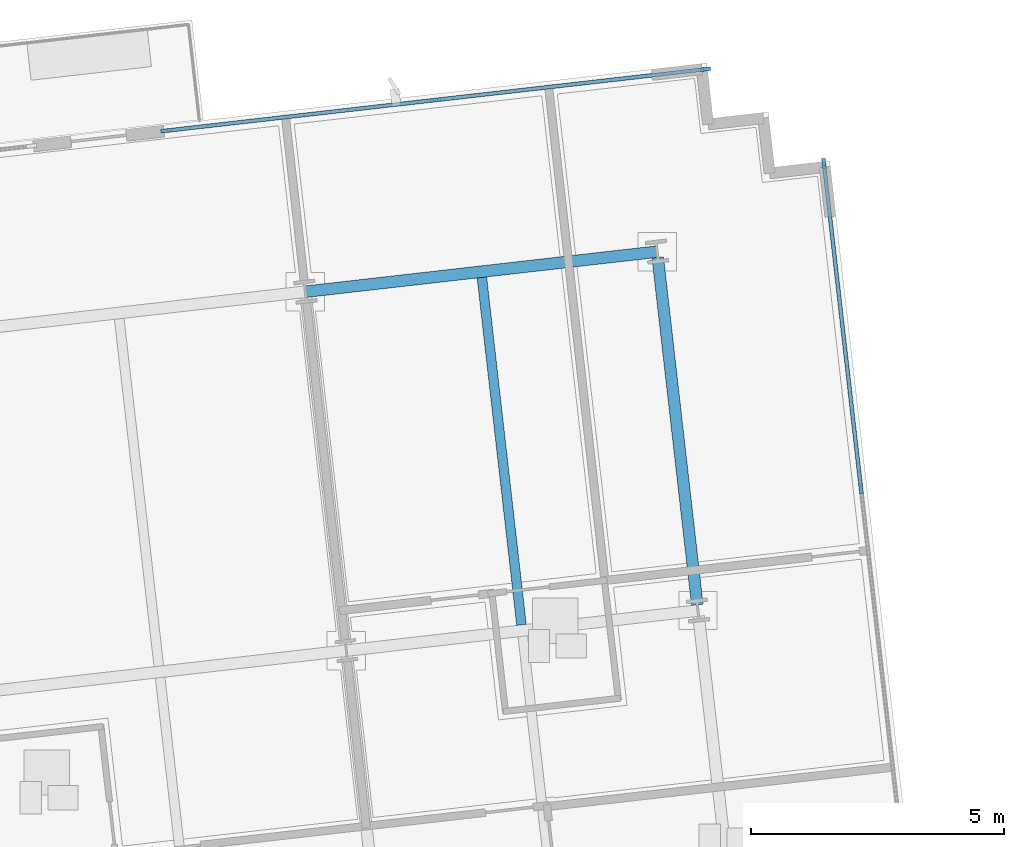
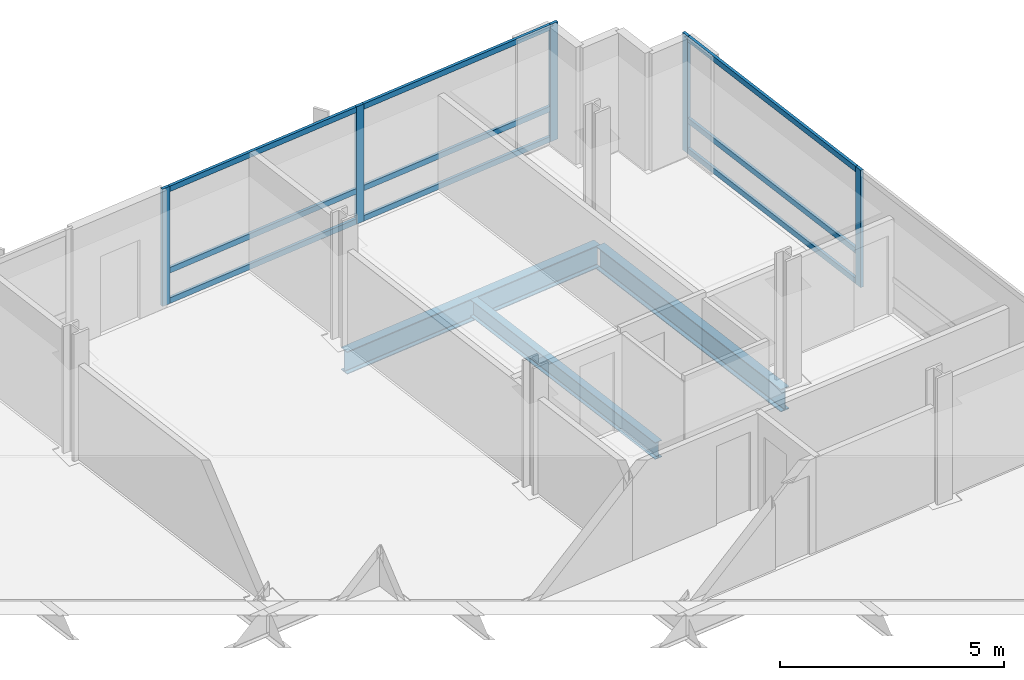
# One storey, part 6 of 16: 14 members, 3 beams, 2 elements without a shape of their own.
"""IFC4 building model written with IfcOpenShell, lengths in metres."""

from ifc_helpers import new_model, si_unit, direction, frame, origin, origin_2d, place, context, subcontext, project, spatial, rectangle, i_section, extrude, material, material_profile, profile_set, type_object, element, aggregate, save


model = new_model("IFC4")

# Units and contexts
model_context = context("Model", 3, precision=1e-05, world=origin(), true_north=direction((0.0, 1.0)))
body_context = subcontext(model_context, "Body", "Model", "MODEL_VIEW")
ifc_project = project(units=[si_unit("LENGTHUNIT", "METRE"), si_unit("AREAUNIT", "SQUARE_METRE"), si_unit("VOLUMEUNIT", "CUBIC_METRE"), si_unit("PLANEANGLEUNIT", "RADIAN"), si_unit("MASSUNIT", "GRAM", prefix="KILO")], contexts=[model_context])

# Site, building, storey
site_placement = place(None, origin())
site = spatial("IfcSite", under=ifc_project, at=site_placement, CompositionType="ELEMENT")
building_placement = place(site_placement, origin())
building = spatial("IfcBuilding", under=site, at=building_placement, Name="Solmavex Isthmus Hotel", CompositionType="ELEMENT")
storey_placement = place(building_placement, frame((0.0, 0.0, 233.10009765625)))
storey = spatial("IfcBuildingStorey", under=building, at=storey_placement, Name="L63", CompositionType="ELEMENT", Elevation=233.10009765625)

# Beams
ifc_material_1 = material(Name="Steel ASTM A992 Grade 50", Category="steel")
ifc_material_profile_1 = material_profile(ifc_material_1, i_section(OverallWidth=0.1904296875, OverallDepth=0.456787109375, WebThickness=0.009033203125, FlangeThickness=0.014404296875, FilletRadius=0.0126953125, at=origin_2d()), Name="W18X50")
ifc_profile_set_1 = profile_set([ifc_material_profile_1], Name="Steel ASTM A992 Grade 50")
beam_type_1 = type_object("IfcBeamType", Name="BM-BJ-W18X50", PredefinedType="JOIST", material=ifc_profile_set_1)
beam_1_placement = place(storey_placement, frame((21.587646484375, 11.7939453125, -0.488525390625), z_axis=(-0.113202453846, 0.993571942258, 0.0), x_axis=(-0.993571942258, -0.113202453846, 0.0)))
element("IfcBeam", 1, at=beam_1_placement, inside=storey, type_object=beam_type_1, Name="Secondary Floor Joist L63-J21", PredefinedType="JOIST", context=body_context, shape_type="SweptSolid", body=[
    extrude(i_section(OverallWidth=0.1904296875, OverallDepth=0.456787109375, WebThickness=0.009033203125, FlangeThickness=0.014404296875, FilletRadius=0.0126953125, at=origin_2d()), origin(), (0.0, 0.0, 1.0), 6.9228515625),
])
ifc_material_profile_2 = material_profile(ifc_material_1, i_section(OverallWidth=0.230224609375, OverallDepth=0.617431640625, WebThickness=0.01318359375, FlangeThickness=0.022216796875, FilletRadius=0.01513671875, at=origin_2d()), Name="W24X94")
ifc_profile_set_2 = profile_set([ifc_material_profile_2], Name="Steel ASTM A992 Grade 50")
beam_type_2 = type_object("IfcBeamType", Name="BM-SP-W24X94", PredefinedType="SPANDREL", material=ifc_profile_set_2)
beam_2_placement = place(storey_placement, frame((17.3095703125, 18.39013671875, -0.56884765625), z_axis=(0.99357359356, 0.113187959519, 0.0), x_axis=(-0.113187959519, 0.99357359356, 0.0)))
element("IfcBeam", 2, at=beam_2_placement, inside=storey, type_object=beam_type_2, Name="Floor Girder L63-UG23", PredefinedType="SPANDREL", context=body_context, shape_type="SweptSolid", body=[
    extrude(i_section(OverallWidth=0.230224609375, OverallDepth=0.617431640625, WebThickness=0.01318359375, FlangeThickness=0.022216796875, FilletRadius=0.01513671875, at=origin_2d()), origin(), (0.0, 0.0, 1.0), 7.0078125),
])
beam_3_placement = place(storey_placement, frame((25.0693359375, 12.1904296875, -0.56884765625), z_axis=(-0.113202453846, 0.993571942258, 0.0), x_axis=(-0.993571942258, -0.113202453846, 0.0)))
element("IfcBeam", 3, at=beam_3_placement, inside=storey, type_object=beam_type_2, Name="Floor Beam L63-VG45", PredefinedType="SPANDREL", context=body_context, shape_type="SweptSolid", body=[
    extrude(i_section(OverallWidth=0.230224609375, OverallDepth=0.617431640625, WebThickness=0.01318359375, FlangeThickness=0.022216796875, FilletRadius=0.01513671875, at=origin_2d()), origin(), (0.0, 0.0, 1.0), 6.9228515625),
])

# Curtain wall, members
ifc_material_2 = material(Name="Aluminium alloy 6063-T6", Category="aluminium")
curtain_wall_type = type_object("IfcCurtainWallType", Name="CW-SYS-04", PredefinedType="NOTDEFINED", material=ifc_material_2)
curtain_wall_1_placement = place(storey_placement, origin())
curtain_wall_1 = element("IfcCurtainWall", 4, at=curtain_wall_1_placement, inside=storey, type_object=curtain_wall_type, Name="Stick Curtain Wall CWL-L63-N3", PredefinedType="NOTDEFINED")
ifc_material_profile_3 = material_profile(ifc_material_2, rectangle(XDim=0.074951171875, YDim=0.199951171875, at=origin_2d()), Name="CWM-75X200")
ifc_profile_set_3 = profile_set([ifc_material_profile_3], Name="Aluminium alloy 6063-T6")
member_type_1 = type_object("IfcMemberType", Name="CW-SYS-04-MUL", PredefinedType="MULLION", material=ifc_profile_set_3)
member_1_placement = place(storey_placement, frame((14.54541015625, 21.57763671875, 0.0), z_axis=(0.0, 0.0, 1.0), x_axis=(-0.113203726319, 0.993571797279, 0.0)))
member_1 = element("IfcMember", 5, at=member_1_placement, type_object=member_type_1, Name="CW-04 mullion 1", PredefinedType="MULLION", context=body_context, shape_type="SweptSolid", body=[
    extrude(rectangle(XDim=0.074951171875, YDim=0.199951171875, at=origin_2d()), origin(), (0.0, 0.0, 1.0), 3.18994140625),
])
member_2_placement = place(storey_placement, frame((19.888916015625, 22.1865234375, 0.0), z_axis=(0.0, 0.0, 1.0), x_axis=(-0.113203726319, 0.993571797279, 0.0)))
member_2 = element("IfcMember", 6, at=member_2_placement, type_object=member_type_1, Name="CW-04 mullion 2", PredefinedType="MULLION", context=body_context, shape_type="SweptSolid", body=[
    extrude(rectangle(XDim=0.074951171875, YDim=0.199951171875, at=origin_2d()), origin(), (0.0, 0.0, 1.0), 3.18994140625),
])
member_3_placement = place(storey_placement, frame((25.232177734375, 22.795166015625, 0.0), z_axis=(0.0, 0.0, 1.0), x_axis=(-0.113203726319, 0.993571797279, 0.0)))
member_3 = element("IfcMember", 7, at=member_3_placement, type_object=member_type_1, Name="CW-04 mullion 3", PredefinedType="MULLION", context=body_context, shape_type="SweptSolid", body=[
    extrude(rectangle(XDim=0.074951171875, YDim=0.199951171875, at=origin_2d()), origin(), (0.0, 0.0, 1.0), 3.18994140625),
])

curtain_wall_2_placement = place(storey_placement, origin())
curtain_wall_2 = element("IfcCurtainWall", 8, at=curtain_wall_2_placement, inside=storey, type_object=curtain_wall_type, Name="Stick Curtain Wall CWL-L63-E1", PredefinedType="NOTDEFINED")
member_4_placement = place(storey_placement, frame((28.309814453125, 14.490234375, 0.0), z_axis=(0.0, 0.0, 1.0), x_axis=(-0.993571836648, -0.11320338078, 0.0)))
member_4 = element("IfcMember", 9, at=member_4_placement, type_object=member_type_1, Name="CW-04 mullion 5", PredefinedType="MULLION", context=body_context, shape_type="SweptSolid", body=[
    extrude(rectangle(XDim=0.074951171875, YDim=0.199951171875, at=origin_2d()), origin(), (0.0, 0.0, 1.0), 3.18994140625),
])
member_5_placement = place(storey_placement, frame((27.575927734375, 20.93115234375, 0.0), z_axis=(0.0, 0.0, 1.0), x_axis=(-0.993571836648, -0.11320338078, 0.0)))
member_5 = element("IfcMember", 10, at=member_5_placement, type_object=member_type_1, Name="CW-04 mullion 6", PredefinedType="MULLION", context=body_context, shape_type="SweptSolid", body=[
    extrude(rectangle(XDim=0.074951171875, YDim=0.199951171875, at=origin_2d()), origin(), (0.0, 0.0, 1.0), 3.18994140625),
])

# Member
ifc_material_profile_4 = material_profile(ifc_material_2, rectangle(XDim=0.074951171875, YDim=0.14990234375, at=origin_2d()), Name="CWT-75X150")
ifc_profile_set_4 = profile_set([ifc_material_profile_4], Name="Aluminium alloy 6063-T6")
member_type_2 = type_object("IfcMemberType", Name="CW-SYS-04-TRN", PredefinedType="USERDEFINED", material=ifc_profile_set_4)
member_6_placement = place(storey_placement, frame((14.582763671875, 21.581787109375, 0.074951171875), z_axis=(0.993571049718, 0.113210287348, 0.0), x_axis=(-0.113210287348, 0.993571049718, 0.0)))
member_6 = element("IfcMember", 11, at=member_6_placement, type_object=member_type_2, Name="CW-04 transom 1.1", ObjectType="TRANSOM", PredefinedType="USERDEFINED", context=body_context, shape_type="SweptSolid", body=[
    extrude(rectangle(XDim=0.074951171875, YDim=0.14990234375, at=origin_2d()), origin(), (0.0, 0.0, 1.0), 5.302978515625),
])

member_7_placement = place(storey_placement, frame((14.582763671875, 21.581787109375, 0.89990234375), z_axis=(0.993571049718, 0.113210287348, 0.0), x_axis=(-0.113210287348, 0.993571049718, 0.0)))
member_7 = element("IfcMember", 12, at=member_7_placement, type_object=member_type_2, Name="CW-04 transom 1.2", ObjectType="TRANSOM", PredefinedType="USERDEFINED", context=body_context, shape_type="SweptSolid", body=[
    extrude(rectangle(XDim=0.074951171875, YDim=0.14990234375, at=origin_2d()), origin(), (0.0, 0.0, 1.0), 5.302978515625),
])

member_8_placement = place(storey_placement, frame((14.582763671875, 21.581787109375, 3.114990234375), z_axis=(0.993571049718, 0.113210287348, 0.0), x_axis=(-0.113210287348, 0.993571049718, 0.0)))
member_8 = element("IfcMember", 13, at=member_8_placement, type_object=member_type_2, Name="CW-04 transom 1.3", ObjectType="TRANSOM", PredefinedType="USERDEFINED", context=body_context, shape_type="SweptSolid", body=[
    extrude(rectangle(XDim=0.074951171875, YDim=0.14990234375, at=origin_2d()), origin(), (0.0, 0.0, 1.0), 5.302978515625),
])

member_9_placement = place(storey_placement, frame((19.926025390625, 22.190673828125, 0.074951171875), z_axis=(0.993571639742, 0.113205108986, 0.0), x_axis=(-0.113205108986, 0.993571639742, 0.0)))
member_9 = element("IfcMember", 14, at=member_9_placement, type_object=member_type_2, Name="CW-04 transom 2.1", ObjectType="TRANSOM", PredefinedType="USERDEFINED", context=body_context, shape_type="SweptSolid", body=[
    extrude(rectangle(XDim=0.074951171875, YDim=0.14990234375, at=origin_2d()), origin(), (0.0, 0.0, 1.0), 5.30322265625),
])

member_10_placement = place(storey_placement, frame((19.926025390625, 22.190673828125, 0.89990234375), z_axis=(0.993571639742, 0.113205108986, 0.0), x_axis=(-0.113205108986, 0.993571639742, 0.0)))
member_10 = element("IfcMember", 15, at=member_10_placement, type_object=member_type_2, Name="CW-04 transom 2.2", ObjectType="TRANSOM", PredefinedType="USERDEFINED", context=body_context, shape_type="SweptSolid", body=[
    extrude(rectangle(XDim=0.074951171875, YDim=0.14990234375, at=origin_2d()), origin(), (0.0, 0.0, 1.0), 5.30322265625),
])

member_11_placement = place(storey_placement, frame((19.926025390625, 22.190673828125, 3.114990234375), z_axis=(0.993571639742, 0.113205108986, 0.0), x_axis=(-0.113205108986, 0.993571639742, 0.0)))
member_11 = element("IfcMember", 16, at=member_11_placement, type_object=member_type_2, Name="CW-04 transom 2.3", ObjectType="TRANSOM", PredefinedType="USERDEFINED", context=body_context, shape_type="SweptSolid", body=[
    extrude(rectangle(XDim=0.074951171875, YDim=0.14990234375, at=origin_2d()), origin(), (0.0, 0.0, 1.0), 5.30322265625),
])

aggregate(curtain_wall_1, [member_1, member_2, member_3, member_6, member_7, member_8, member_9, member_10, member_11])

member_12_placement = place(storey_placement, frame((28.305419921875, 14.527587890625, 0.074951171875), z_axis=(-0.113203780919, 0.993571791058, 0.0), x_axis=(-0.993571791058, -0.113203780919, 0.0)))
member_12 = element("IfcMember", 17, at=member_12_placement, type_object=member_type_2, Name="CW-04 transom 5.1", ObjectType="TRANSOM", PredefinedType="USERDEFINED", context=body_context, shape_type="SweptSolid", body=[
    extrude(rectangle(XDim=0.074951171875, YDim=0.14990234375, at=origin_2d()), origin(), (0.0, 0.0, 1.0), 6.407470703125),
])

member_13_placement = place(storey_placement, frame((28.305419921875, 14.527587890625, 0.89990234375), z_axis=(-0.113203780919, 0.993571791058, 0.0), x_axis=(-0.993571791058, -0.113203780919, 0.0)))
member_13 = element("IfcMember", 18, at=member_13_placement, type_object=member_type_2, Name="CW-04 transom 5.2", ObjectType="TRANSOM", PredefinedType="USERDEFINED", context=body_context, shape_type="SweptSolid", body=[
    extrude(rectangle(XDim=0.074951171875, YDim=0.14990234375, at=origin_2d()), origin(), (0.0, 0.0, 1.0), 6.407470703125),
])

member_14_placement = place(storey_placement, frame((28.305419921875, 14.527587890625, 3.114990234375), z_axis=(-0.113203780919, 0.993571791058, 0.0), x_axis=(-0.993571791058, -0.113203780919, 0.0)))
member_14 = element("IfcMember", 19, at=member_14_placement, type_object=member_type_2, Name="CW-04 transom 5.3", ObjectType="TRANSOM", PredefinedType="USERDEFINED", context=body_context, shape_type="SweptSolid", body=[
    extrude(rectangle(XDim=0.074951171875, YDim=0.14990234375, at=origin_2d()), origin(), (0.0, 0.0, 1.0), 6.407470703125),
])

aggregate(curtain_wall_2, [member_4, member_5, member_12, member_13, member_14])

save(model, "model.ifc")
